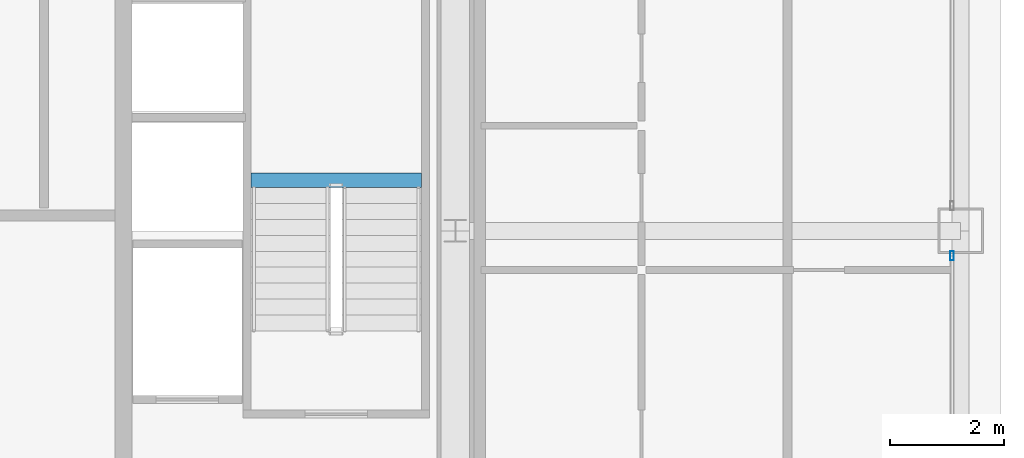
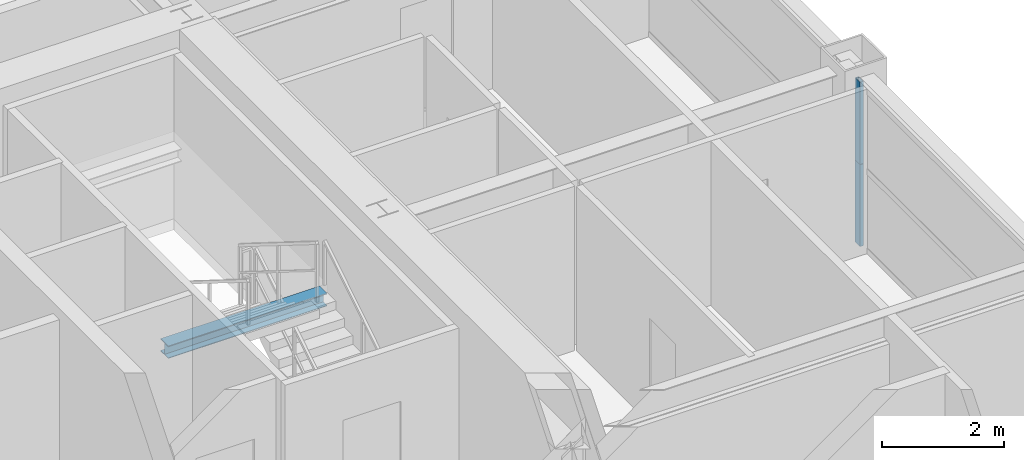
# One storey, part 26 of 45: 2 members, 1 beam, 1 element without a shape of its own.
"""IFC4 building model written with IfcOpenShell, lengths in metres."""

import ifcopenshell
import ifcopenshell.guid

model = None  # the IFC model being written
_history = None  # IfcOwnerHistory: only IFC2X3 demands one
_inside = {}  # id of a spatial element -> (the spatial element, [elements in it])
_under = {}  # id of a project, library or spatial element -> (it, [spatial elements below it])
_declared = {}  # id of a project -> (the project, [libraries it declares])
_typed = {}  # id of a type object -> (the type object, [elements of that type])
_made_of = {}  # id of a material, layer set ... -> (it, [elements and type objects made of it])


def new_model(schema):
    """Start an empty IFC model of exactly this schema.

    Asked for "IFC4X3", IfcOpenShell would pick the latest addendum, in which some entities
    have other attributes; the version numbers below select the first issue.
    IFC2X3 requires an IfcOwnerHistory on every rooted entity: one is made here for all.
    """
    global model, _history
    if schema == "IFC4X3":
        model = ifcopenshell.file(schema_version=(4, 3, 0, 0))
    else:
        model = ifcopenshell.file(schema=schema)
    _inside.clear()
    _under.clear()
    _declared.clear()
    _typed.clear()
    _made_of.clear()
    _history = None
    if model.schema == "IFC2X3":
        org = make("IfcOrganization", Name="unknown")
        user = make(
            "IfcPersonAndOrganization",
            ThePerson=make("IfcPerson", FamilyName="unknown"),
            TheOrganization=org,
        )
        app = make(
            "IfcApplication",
            ApplicationDeveloper=org,
            Version="unknown",
            ApplicationFullName="unknown",
            ApplicationIdentifier="unknown",
        )
        _history = make(
            "IfcOwnerHistory",
            OwningUser=user,
            OwningApplication=app,
            ChangeAction="ADDED",
            CreationDate=0,
        )
    return model


def make(cls, **values):
    """One entity of the class cls with the attributes given. An attribute that is None is left unset."""
    return model.create_entity(
        cls, **{name: value for name, value in values.items() if value is not None}
    )


def rooted(cls, **values):
    """An entity with a GlobalId (a new one), such as an element, a storey or a relation."""
    return make(cls, GlobalId=ifcopenshell.guid.new(), OwnerHistory=_history, **values)


def si_unit(unit_type, name, prefix=None):
    """IfcSIUnit, for example si_unit("LENGTHUNIT", "METRE", prefix="MILLI")."""
    return make("IfcSIUnit", UnitType=unit_type, Prefix=prefix, Name=name)


def assignment(units):
    """IfcUnitAssignment: the units of a project."""
    return None if units is None else make("IfcUnitAssignment", Units=units)


def point(xyz):
    """IfcCartesianPoint."""
    return None if xyz is None else make("IfcCartesianPoint", Coordinates=xyz)


def direction(xyz):
    """IfcDirection."""
    return None if xyz is None else make("IfcDirection", DirectionRatios=xyz)


def frame(location, z_axis=None, x_axis=None):
    """IfcAxis2Placement3D, a coordinate frame: its origin and axes. An axis left out is left unset."""
    return make(
        "IfcAxis2Placement3D",
        Location=point(location),
        Axis=direction(z_axis),
        RefDirection=direction(x_axis),
    )


def frame_2d(location, x_axis=None):
    """IfcAxis2Placement2D, a coordinate frame in the plane: its origin and x axis."""
    return make(
        "IfcAxis2Placement2D", Location=point(location), RefDirection=direction(x_axis)
    )


def origin():
    """The frame at (0, 0, 0) with its axes left unset."""
    return frame((0.0, 0.0, 0.0))


def origin_2d():
    """The frame at (0, 0) in the plane with its x axis left unset."""
    return frame_2d((0.0, 0.0))


def place(relative_to, where):
    """IfcLocalPlacement: puts the frame where relative to a parent placement (None: the world)."""
    return make(
        "IfcLocalPlacement", PlacementRelTo=relative_to, RelativePlacement=where
    )


def context(
    kind, dimensions, precision=None, world=None, true_north=None, identifier=None
):
    """IfcGeometricRepresentationContext, for example the 3D "Model" context."""
    return make(
        "IfcGeometricRepresentationContext",
        ContextIdentifier=identifier,
        ContextType=kind,
        CoordinateSpaceDimension=dimensions,
        Precision=precision,
        WorldCoordinateSystem=world,
        TrueNorth=true_north,
    )


def subcontext(parent, identifier, kind, view, scale=None):
    """IfcGeometricRepresentationSubContext, for example "Body" below "Model"."""
    return make(
        "IfcGeometricRepresentationSubContext",
        ContextIdentifier=identifier,
        ContextType=kind,
        ParentContext=parent,
        TargetScale=scale,
        TargetView=view,
    )


def project(units=None, contexts=None):
    """IfcProject with its units and contexts."""
    return rooted(
        "IfcProject",
        Name="project",
        RepresentationContexts=contexts,
        UnitsInContext=assignment(units),
    )


def spatial(cls, under=None, at=None, **own):
    """A site, building, storey or space (cls), placed at a placement, below another one or the project."""
    s = rooted(cls, ObjectPlacement=at, **own)
    if under is not None:
        _under.setdefault(under.id(), (under, []))[1].append(s)
    return s


def profile(cls, at=None, kind="AREA", **sizes):
    """A parametric profile (cls). Its sizes go by their IFC names, for example OverallWidth=200.0."""
    return make(cls, ProfileType=kind, Position=at, **sizes)


def hollow_rectangle(**sizes):
    """IfcRectangleHollowProfileDef."""
    return profile("IfcRectangleHollowProfileDef", **sizes)


def i_section(**sizes):
    """IfcIShapeProfileDef."""
    return profile("IfcIShapeProfileDef", **sizes)


def extrude(swept, where, along, depth):
    """IfcExtrudedAreaSolid: the profile swept, set in the frame where, extruded along a direction by depth."""
    return make(
        "IfcExtrudedAreaSolid",
        SweptArea=swept,
        Position=where,
        ExtrudedDirection=direction(along),
        Depth=depth,
    )


def shape(context_of_items, identifier, shape_type, items):
    """IfcShapeRepresentation: the items that make up one representation, for example the "Body"."""
    return make(
        "IfcShapeRepresentation",
        ContextOfItems=context_of_items,
        RepresentationIdentifier=identifier,
        RepresentationType=shape_type,
        Items=items,
    )


def source(mapping_origin, context_of_items, identifier, shape_type, items):
    """IfcRepresentationMap: a shape defined once, which mapped items show again and again."""
    return make(
        "IfcRepresentationMap",
        MappingOrigin=mapping_origin,
        MappedRepresentation=shape(context_of_items, identifier, shape_type, items),
    )


def transform(
    local_origin,
    x_axis=None,
    y_axis=None,
    z_axis=None,
    scale=None,
    scale2=None,
    scale3=None,
    uniform=True,
):
    """IfcCartesianTransformationOperator3D, or its non-uniform kind. x_axis, y_axis, z_axis: its Axis1, 2, 3."""
    if uniform:
        return make(
            "IfcCartesianTransformationOperator3D",
            Axis1=direction(x_axis),
            Axis2=direction(y_axis),
            LocalOrigin=point(local_origin),
            Scale=scale,
            Axis3=direction(z_axis),
        )
    return make(
        "IfcCartesianTransformationOperator3DnonUniform",
        Axis1=direction(x_axis),
        Axis2=direction(y_axis),
        LocalOrigin=point(local_origin),
        Scale=scale,
        Axis3=direction(z_axis),
        Scale2=scale2,
        Scale3=scale3,
    )


def mapped(mapping_source, mapping_target):
    """IfcMappedItem: shows the shape of a source again, moved by a transform."""
    return make(
        "IfcMappedItem", MappingSource=mapping_source, MappingTarget=mapping_target
    )


def material(Name=None, Category=None):
    """IfcMaterial."""
    return make("IfcMaterial", Name=Name, Category=Category)


def layer(
    of_material, thickness, ventilated=None, Name=None, Category=None, Priority=None
):
    """IfcMaterialLayer: one layer of a wall or slab, of a material (None: an air gap)."""
    return make(
        "IfcMaterialLayer",
        Material=of_material,
        LayerThickness=thickness,
        IsVentilated=ventilated,
        Name=Name,
        Category=Category,
        Priority=Priority,
    )


def layer_set(layers, Name=None):
    """IfcMaterialLayerSet."""
    return make("IfcMaterialLayerSet", MaterialLayers=layers, LayerSetName=Name)


def material_profile(
    of_material, cross_section, Name=None, Category=None, Priority=None
):
    """IfcMaterialProfile: a cross section and its material."""
    return make(
        "IfcMaterialProfile",
        Name=Name,
        Material=of_material,
        Profile=cross_section,
        Priority=Priority,
        Category=Category,
    )


def profile_set(profiles, Name=None, composite=None):
    """IfcMaterialProfileSet."""
    return make(
        "IfcMaterialProfileSet",
        Name=Name,
        MaterialProfiles=profiles,
        CompositeProfile=composite,
    )


def made_of(thing, what):
    """Note that an element or type object is made of a material, layer set ...; save() writes the relation."""
    if what is not None:
        _made_of.setdefault(what.id(), (what, []))[1].append(thing)
    return thing


def type_object(cls, material=None, **own):
    """A type object (cls), such as IfcWallType, which elements share."""
    return made_of(rooted(cls, **own), material)


def element(
    cls,
    number,
    at=None,
    inside=None,
    cuts=None,
    type_object=None,
    material=None,
    context=None,
    identifier="Body",
    shape_type=None,
    held_by="IfcProductDefinitionShape",
    body=None,
    shapes=None,
    **own,
):
    """One element of the class cls, such as IfcWall. Its Tag is "e" and its number.

    at: its placement. inside: the storey or other place that contains it. cuts: it is an
    opening in that element (IfcRelVoidsElement). A single representation is given by context,
    identifier, shape_type and body (its items); several are given by shapes. held_by: the class
    of the entity that holds the representations. save() writes the other relations.
    """
    e = rooted(cls, Tag="e%d" % number, ObjectPlacement=at, **own)
    if body is not None:
        shapes = [shape(context, identifier, shape_type, body)]
    if shapes is not None:
        e.Representation = make(held_by, Representations=shapes)
    if inside is not None:
        _inside.setdefault(inside.id(), (inside, []))[1].append(e)
    if cuts is not None:
        rooted(
            "IfcRelVoidsElement", RelatingBuildingElement=cuts, RelatedOpeningElement=e
        )
    if type_object is not None:
        _typed.setdefault(type_object.id(), (type_object, []))[1].append(e)
    return made_of(e, material)


def aggregate(whole, parts):
    """IfcRelAggregates: a whole, such as a stair, and the parts it consists of."""
    return rooted("IfcRelAggregates", RelatingObject=whole, RelatedObjects=parts)


def save(model, path):
    """Write the relations noted so far, then the file.

    IfcRelAggregates (storeys below a building ...), IfcRelContainedInSpatialStructure (elements
    in a storey), IfcRelDefinesByType, IfcRelAssociatesMaterial and IfcRelDeclares: one each for
    every whole, place, type object, material and project.
    """
    for whole, parts in _under.values():
        aggregate(whole, parts)
    for where, things in _inside.values():
        rooted(
            "IfcRelContainedInSpatialStructure",
            RelatedElements=things,
            RelatingStructure=where,
        )
    for kind, things in _typed.values():
        rooted("IfcRelDefinesByType", RelatedObjects=things, RelatingType=kind)
    for what, things in _made_of.values():
        rooted("IfcRelAssociatesMaterial", RelatedObjects=things, RelatingMaterial=what)
    for by, libraries in _declared.values():
        rooted("IfcRelDeclares", RelatingContext=by, RelatedDefinitions=libraries)
    model.write(path)


model = new_model("IFC4")

# Units and contexts
model_context = context("Model", 3, precision=1e-05, world=origin(), true_north=direction((0.0, 1.0)))
body_context = subcontext(model_context, "Body", "Model", "MODEL_VIEW")
ifc_project = project(units=[si_unit("LENGTHUNIT", "METRE"), si_unit("AREAUNIT", "SQUARE_METRE"), si_unit("VOLUMEUNIT", "CUBIC_METRE"), si_unit("PLANEANGLEUNIT", "RADIAN"), si_unit("MASSUNIT", "GRAM", prefix="KILO"), si_unit("THERMODYNAMICTEMPERATUREUNIT", "KELVIN"), si_unit("POWERUNIT", "WATT")], contexts=[model_context])

# Site, building, storey
site_placement = place(None, origin())
site = spatial("IfcSite", under=ifc_project, at=site_placement, CompositionType="ELEMENT")
building_placement = place(site_placement, origin())
building = spatial("IfcBuilding", under=site, at=building_placement, Name="Yuzanri Waterfront Tower", CompositionType="ELEMENT")
storey_placement = place(building_placement, frame((0.0, 0.0, 198.5)))
storey = spatial("IfcBuildingStorey", under=building, at=storey_placement, Name="L52", CompositionType="ELEMENT", Elevation=198.5)

# Curtain wall, members
ifc_material_1 = material(Name="Anodized Architectural Bronze", Category="metal")
ifc_layer = layer(ifc_material_1, 0.159912109375)
ifc_layer_set = layer_set([ifc_layer], Name="Anodized Architectural Bronze")
curtain_wall_type = type_object("IfcCurtainWallType", Name="Anodized Bronze Mid-Rise Residential Acoustic Unitized Curtain Wall 7200", PredefinedType="NOTDEFINED", material=ifc_layer_set)
curtain_wall_placement = place(storey_placement, origin())
curtain_wall = element("IfcCurtainWall", 1, at=curtain_wall_placement, inside=storey, type_object=curtain_wall_type, Name="L52 Curtain Wall CW-L52-EL", PredefinedType="NOTDEFINED")
ifc_material_2 = material(Name="Anodized Architectural Bronze", Category="metal")
ifc_material_profile_1 = material_profile(ifc_material_2, hollow_rectangle(XDim=0.06494140625, YDim=0.159912109375, WallThickness=0.00341796875, at=origin_2d()), Name="CWM 65x160")
ifc_profile_set_1 = profile_set([ifc_material_profile_1], Name="Anodized Architectural Bronze")
member_type = type_object("IfcMemberType", Name="Anodized Bronze Upper-Zone Curtain-Wall Mullion 65x160", PredefinedType="MULLION", material=ifc_profile_set_1)
shared_shape_1 = source(origin(), body_context, "Body", "SweptSolid", [
    extrude(hollow_rectangle(XDim=0.06494140625, YDim=0.159912109375, WallThickness=0.00341796875, at=origin_2d()), origin(), (0.0, 0.0, 1.0), 1.637939453125),
])
member_1_placement = place(storey_placement, frame((58.949951171875, 25.360107421875, 0.0), z_axis=(0.0, 0.0, 1.0), x_axis=(1.0, 0.0, 0.0)))
member_1 = element("IfcMember", 2, at=member_1_placement, type_object=member_type, Name="CW-L52-EL Lower Mullion 02", PredefinedType="MULLION", context=body_context, shape_type="MappedRepresentation", body=[
    mapped(shared_shape_1, transform((0.0, 0.0, 0.0), scale=1.0)),
])
member_2_placement = place(storey_placement, frame((58.949951171875, 25.360107421875, 1.64208984375), z_axis=(0.0, 0.0, 1.0), x_axis=(1.0, 0.0, 0.0)))
member_2 = element("IfcMember", 3, at=member_2_placement, type_object=member_type, Name="CW-L52-EL Upper Mullion 02", PredefinedType="MULLION", context=body_context, shape_type="MappedRepresentation", body=[
    mapped(shared_shape_1, transform((0.0, 0.0, 0.0), scale=1.0)),
])
aggregate(curtain_wall, [member_1, member_2])

# Beam
ifc_material_3 = material(Name="Steel Q355B", Category="steel")
ifc_material_profile_2 = material_profile(ifc_material_3, i_section(OverallWidth=0.25, OverallDepth=0.25, WebThickness=0.009033203125, FlangeThickness=0.013916015625, at=origin_2d()), Name="HW 250x250x9x14")
ifc_profile_set_2 = profile_set([ifc_material_profile_2], Name="Steel Q355B")
beam_type = type_object("IfcBeamType", Name="Stair Landing Support Beam Q355B HW 250x250", PredefinedType="BEAM", material=ifc_profile_set_2)
shared_shape_2 = source(origin(), body_context, "Body", "SweptSolid", [
    extrude(i_section(OverallWidth=0.25, OverallDepth=0.25, WebThickness=0.009033203125, FlangeThickness=0.013916015625, at=origin_2d()), origin(), (0.0, 0.0, 1.0), 3.0),
])
beam_placement = place(storey_placement, frame((46.60009765625, 26.68994140625, 1.425048828125), z_axis=(1.0, 0.0, 0.0), x_axis=(0.0, 1.0, 0.0)))
element("IfcBeam", 4, at=beam_placement, inside=storey, type_object=beam_type, Name="L52 Stair Landing Support Beam ST-02-L52-L1-1", PredefinedType="BEAM", context=body_context, shape_type="MappedRepresentation", body=[
    mapped(shared_shape_2, transform((0.0, 0.0, 0.0), scale=1.0)),
])

save(model, "model.ifc")
